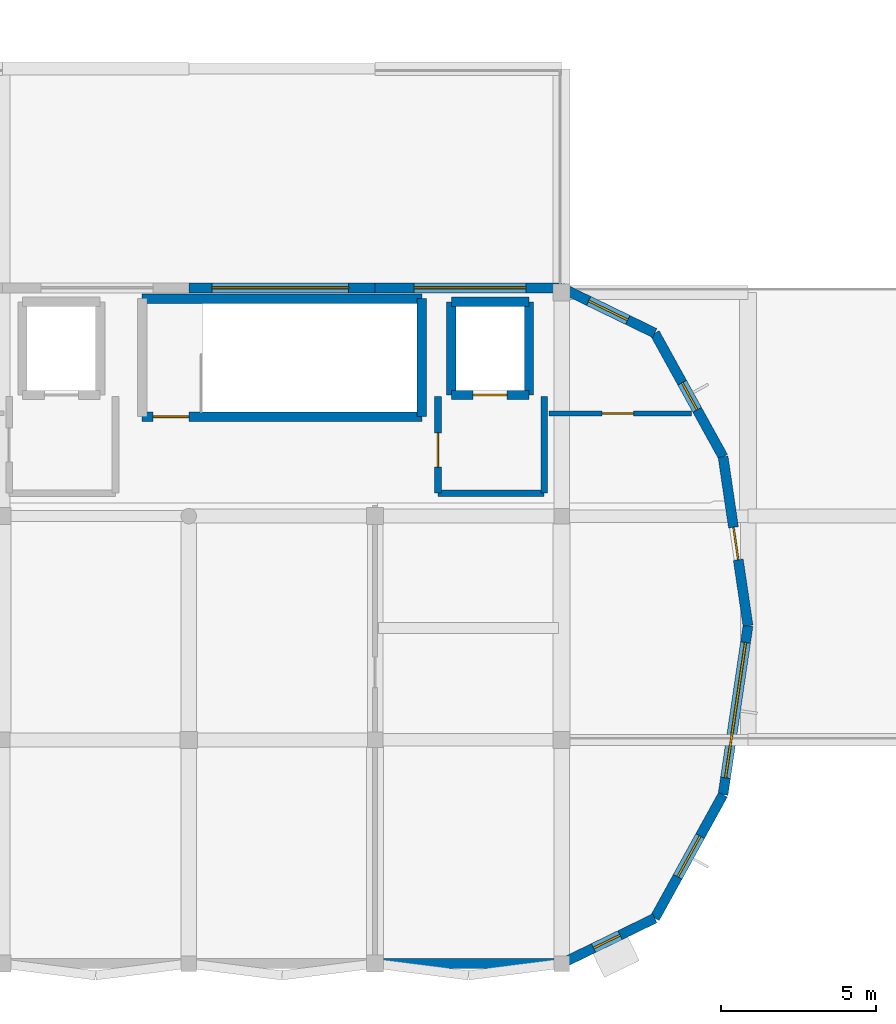
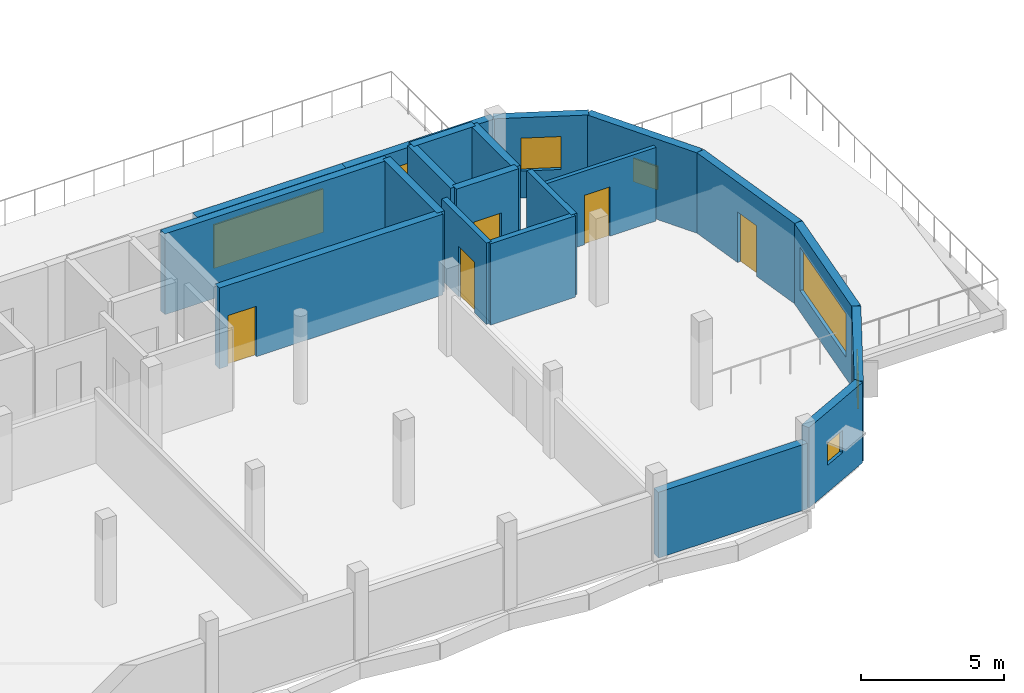
# One storey, part 3 of 4: 20 walls, 7 windows, 5 doors, 12 openings.
"""IFC4 building model written with IfcOpenShell, lengths in metres."""

from ifc_helpers import new_model, si_unit, direction, frame, frame_2d, origin, place, context, subcontext, project, spatial, rectangle, extrude, material, layer, layer_set, type_object, element, fill, save


model = new_model("IFC4")

# Units and contexts
model_context = context("Model", 3, precision=1e-05, world=origin(), true_north=direction((0.0, 1.0)))
body_context = subcontext(model_context, "Body", "Model", "MODEL_VIEW")
ifc_project = project(units=[si_unit("LENGTHUNIT", "METRE"), si_unit("AREAUNIT", "SQUARE_METRE"), si_unit("VOLUMEUNIT", "CUBIC_METRE"), si_unit("PLANEANGLEUNIT", "RADIAN"), si_unit("MASSUNIT", "GRAM", prefix="KILO")], contexts=[model_context])

# Site, building, storey
site_placement = place(None, origin())
site = spatial("IfcSite", under=ifc_project, at=site_placement, CompositionType="ELEMENT")
building_placement = place(site_placement, origin())
building = spatial("IfcBuilding", under=site, at=building_placement, Name="Dunvalen Ferry Terminal", CompositionType="ELEMENT")
storey_placement = place(building_placement, frame((0.0, 0.0, 17.320068359375)))
storey = spatial("IfcBuildingStorey", under=building, at=storey_placement, Name="L04", CompositionType="ELEMENT", Elevation=17.320068359375)

# Wall
ifc_material_1 = material(Name="Precast concrete C40/50", Category="concrete")
ifc_layer_1 = layer(ifc_material_1, 0.320068359375, Name="Precast concrete C40/50")
ifc_layer_set_1 = layer_set([ifc_layer_1], Name="Precast concrete C40/50")
wall_type_1 = type_object("IfcWallType", Name="ENV-WL-SPN320", PredefinedType="SOLIDWALL", material=ifc_layer_set_1)
wall_1_placement = place(storey_placement, frame((48.0, 0.0, 0.0), z_axis=(0.0, 0.0, 1.0), x_axis=(1.0, 0.0, 0.0)))
element("IfcWall", 1, at=wall_1_placement, inside=storey, type_object=wall_type_1, Name="L04 Streamline Moderne Facade Wall 01.05", PredefinedType="SOLIDWALL", context=body_context, shape_type="SweptSolid", body=[
    extrude(rectangle(XDim=6.0, YDim=0.320068359375, at=frame_2d((3.0, 0.0))), origin(), (0.0, 0.0, 1.0), 2.800048828125),
])

# Wall, opening, window
wall_2_placement = place(storey_placement, frame((54.0, 0.0, 0.0), z_axis=(0.0, 0.0, 1.0), x_axis=(0.899521309608, 0.436876886046, 0.0)))
wall_2 = element("IfcWall", 2, at=wall_2_placement, inside=storey, type_object=wall_type_1, Name="L04 Streamline Moderne Facade Wall 02.01", PredefinedType="SOLIDWALL", context=body_context, shape_type="SweptSolid", body=[
    extrude(rectangle(XDim=3.335205078125, YDim=0.320068359375, at=frame_2d((1.66748046875, 0.0))), origin(), (0.0, 0.0, 1.0), 3.419921875),
])
opening_1_placement = place(wall_2_placement, frame((1.14111328125, 0.0, 1.14990234375)))
opening_1 = element("IfcOpeningElement", 3, at=opening_1_placement, cuts=wall_2, Name="Opening W-43", PredefinedType="OPENING", context=body_context, shape_type="SweptSolid", body=[
    extrude(rectangle(XDim=0.949951171875, YDim=0.949951171875, at=frame_2d((0.47509765625, 0.47509765625))), frame((0.0, 0.169921875, 0.0), z_axis=(0.0, -1.0, 0.0), x_axis=(1.0, 0.0, 0.0)), (0.0, 0.0, 1.0), 0.340087890625),
])
ifc_material_2 = material(Name="Thermally broken aluminium and double glazing", Category="aluminium")
window_type_1 = type_object("IfcWindowType", Name="ENV-WIN-PRT-43", PartitioningType="SINGLE_PANEL", PredefinedType="WINDOW", material=ifc_material_2)
window_1_placement = place(opening_1_placement, origin())
window_1 = element("IfcWindow", 4, at=window_1_placement, inside=storey, type_object=window_type_1, Name="L04 Streamline Ribbon Window 02.01", OverallHeight=0.949951171875, OverallWidth=0.949951171875, PartitioningType="SINGLE_PANEL", PredefinedType="WINDOW", context=body_context, shape_type="SweptSolid", body=[
    extrude(rectangle(XDim=0.949951171875, YDim=0.949951171875, at=frame_2d((0.47509765625, 0.47509765625))), frame((0.0, 0.030029296875, 0.0), z_axis=(0.0, -1.0, 0.0), x_axis=(1.0, 0.0, 0.0)), (0.0, 0.0, 1.0), 0.06005859375),
])
fill(opening_1, window_1)

wall_3_placement = place(storey_placement, frame((57.0, 1.45703125, 0.0), z_axis=(0.0, 0.0, 1.0), x_axis=(0.483105735842, 0.875562018361, 0.0)))
wall_3 = element("IfcWall", 5, at=wall_3_placement, inside=storey, type_object=wall_type_1, Name="L04 Streamline Moderne Facade Wall 03.01", PredefinedType="SOLIDWALL", context=body_context, shape_type="SweptSolid", body=[
    extrude(rectangle(XDim=4.546142578125, YDim=0.320068359375, at=frame_2d((2.27294921875, 0.0))), origin(), (0.0, 0.0, 1.0), 3.419921875),
])
opening_2_placement = place(wall_3_placement, frame((1.523193359375, 0.0, 1.14990234375)))
opening_2 = element("IfcOpeningElement", 6, at=opening_2_placement, cuts=wall_3, Name="Opening W-44", PredefinedType="OPENING", context=body_context, shape_type="SweptSolid", body=[
    extrude(rectangle(XDim=1.5, YDim=1.5, at=frame_2d((0.75, 0.75))), frame((0.0, 0.169921875, 0.0), z_axis=(0.0, -1.0, 0.0), x_axis=(1.0, 0.0, 0.0)), (0.0, 0.0, 1.0), 0.340087890625),
])
window_type_2 = type_object("IfcWindowType", Name="ENV-WIN-PRT-44", PartitioningType="SINGLE_PANEL", PredefinedType="WINDOW", material=ifc_material_2)
window_2_placement = place(opening_2_placement, origin())
window_2 = element("IfcWindow", 7, at=window_2_placement, inside=storey, type_object=window_type_2, Name="L04 Streamline Ribbon Window 03.01", OverallHeight=1.5, OverallWidth=1.5, PartitioningType="SINGLE_PANEL", PredefinedType="WINDOW", context=body_context, shape_type="SweptSolid", body=[
    extrude(rectangle(XDim=1.5, YDim=1.5, at=frame_2d((0.75, 0.75))), frame((0.0, 0.030029296875, 0.0), z_axis=(0.0, -1.0, 0.0), x_axis=(1.0, 0.0, 0.0)), (0.0, 0.0, 1.0), 0.06005859375),
])
fill(opening_2, window_2)

wall_4_placement = place(storey_placement, frame((59.1962890625, 5.4375, 0.0), z_axis=(0.0, 0.0, 1.0), x_axis=(0.146220266432, 0.98925205771, 0.0)))
wall_4 = element("IfcWall", 8, at=wall_4_placement, inside=storey, type_object=wall_type_1, Name="L04 Streamline Moderne Facade Wall 04.01", PredefinedType="SOLIDWALL", context=body_context, shape_type="SweptSolid", body=[
    extrude(rectangle(XDim=5.49658203125, YDim=0.320068359375, at=frame_2d((2.748291015625, 0.0))), origin(), (0.0, 0.0, 1.0), 3.419921875),
])
opening_3_placement = place(wall_4_placement, frame((0.54833984375, 0.0, 0.89990234375)))
opening_3 = element("IfcOpeningElement", 9, at=opening_3_placement, cuts=wall_4, Name="Opening W-11", PredefinedType="OPENING", context=body_context, shape_type="SweptSolid", body=[
    extrude(rectangle(XDim=4.39990234375, YDim=1.85009765625, at=frame_2d((2.199951171875, 0.925048828125))), frame((0.0, 0.169921875, 0.0), z_axis=(0.0, -1.0, 0.0), x_axis=(1.0, 0.0, 0.0)), (0.0, 0.0, 1.0), 0.340087890625),
])
window_type_3 = type_object("IfcWindowType", Name="ENV-WIN-VTS-11", PartitioningType="SINGLE_PANEL", PredefinedType="WINDOW", material=ifc_material_2)
window_3_placement = place(opening_3_placement, origin())
window_3 = element("IfcWindow", 10, at=window_3_placement, inside=storey, type_object=window_type_3, Name="L04 Streamline Ribbon Window 04.01", OverallHeight=1.85009765625, OverallWidth=4.39990234375, PartitioningType="SINGLE_PANEL", PredefinedType="WINDOW", context=body_context, shape_type="SweptSolid", body=[
    extrude(rectangle(XDim=4.39990234375, YDim=1.85009765625, at=frame_2d((2.199951171875, 0.925048828125))), frame((0.0, 0.030029296875, 0.0), z_axis=(0.0, -1.0, 0.0), x_axis=(1.0, 0.0, 0.0)), (0.0, 0.0, 1.0), 0.06005859375),
])
fill(opening_3, window_3)

# Wall, opening, door
wall_5_placement = place(storey_placement, frame((60.0, 10.875, 0.0), z_axis=(0.0, 0.0, 1.0), x_axis=(-0.146220266432, 0.98925205771, 0.0)))
wall_5 = element("IfcWall", 11, at=wall_5_placement, inside=storey, type_object=wall_type_1, Name="L04 Streamline Moderne Facade Wall 05.01", PredefinedType="SOLIDWALL", context=body_context, shape_type="SweptSolid", body=[
    extrude(rectangle(XDim=5.49658203125, YDim=0.320068359375, at=frame_2d((2.748291015625, 0.0))), origin(), (0.0, 0.0, 1.0), 3.419921875),
])
opening_4_placement = place(wall_5_placement, frame((2.14794921875, 0.0, 0.0)))
opening_4 = element("IfcOpeningElement", 12, at=opening_4_placement, cuts=wall_5, Name="Opening ED-07", PredefinedType="OPENING", context=body_context, shape_type="SweptSolid", body=[
    extrude(rectangle(XDim=1.050048828125, YDim=2.14990234375, at=frame_2d((0.52490234375, 1.074951171875))), frame((0.0, 0.169921875, 0.0), z_axis=(0.0, -1.0, 0.0), x_axis=(1.0, 0.0, 0.0)), (0.0, 0.0, 1.0), 0.340087890625),
])
ifc_material_3 = material(Name="Marine grade powder-coated aluminium and laminated glass", Category="aluminium")
door_type_1 = type_object("IfcDoorType", Name="ENV-DR-EXT-1050", OperationType="NOTDEFINED", PredefinedType="DOOR", material=ifc_material_3)
door_1_placement = place(opening_4_placement, frame((1.050048828125, 0.0, 0.0), z_axis=(0.0, 0.0, 1.0), x_axis=(-1.0, 0.0, 0.0)))
door_1 = element("IfcDoor", 13, at=door_1_placement, inside=storey, type_object=door_type_1, Name="L04 VTS Bridge Lookout Terrace Door 4.0", OperationType="SINGLE_SWING_RIGHT", OverallHeight=2.14990234375, OverallWidth=1.050048828125, PredefinedType="DOOR", context=body_context, shape_type="SweptSolid", body=[
    extrude(rectangle(XDim=1.050048828125, YDim=2.14990234375, at=frame_2d((0.52490234375, 1.074951171875))), frame((0.0, 0.02490234375, 0.0), z_axis=(0.0, -1.0, 0.0), x_axis=(1.0, 0.0, 0.0)), (0.0, 0.0, 1.0), 0.050048828125),
])
fill(opening_4, door_1)

# Wall, opening, window
wall_6_placement = place(storey_placement, frame((59.1962890625, 16.3125, 0.0), z_axis=(0.0, 0.0, 1.0), x_axis=(-0.483105735842, 0.875562018361, 0.0)))
wall_6 = element("IfcWall", 14, at=wall_6_placement, inside=storey, type_object=wall_type_1, Name="L04 Streamline Moderne Facade Wall 06.01", PredefinedType="SOLIDWALL", context=body_context, shape_type="SweptSolid", body=[
    extrude(rectangle(XDim=4.546142578125, YDim=0.320068359375, at=frame_2d((2.27294921875, 0.0))), origin(), (0.0, 0.0, 1.0), 3.419921875),
])
opening_5_placement = place(wall_6_placement, frame((1.722900390625, 0.0, 1.14990234375)))
opening_5 = element("IfcOpeningElement", 15, at=opening_5_placement, cuts=wall_6, Name="Opening W-18", PredefinedType="OPENING", context=body_context, shape_type="SweptSolid", body=[
    extrude(rectangle(XDim=1.0, YDim=1.0, at=frame_2d((0.5, 0.5))), frame((0.0, 0.169921875, 0.0), z_axis=(0.0, -1.0, 0.0), x_axis=(1.0, 0.0, 0.0)), (0.0, 0.0, 1.0), 0.340087890625),
])
window_type_4 = type_object("IfcWindowType", Name="ENV-WIN-PRT-18", PartitioningType="SINGLE_PANEL", PredefinedType="WINDOW", material=ifc_material_2)
window_4_placement = place(opening_5_placement, origin())
window_4 = element("IfcWindow", 16, at=window_4_placement, inside=storey, type_object=window_type_4, Name="L04 Streamline Ribbon Window 06.01", OverallHeight=1.0, OverallWidth=1.0, PartitioningType="SINGLE_PANEL", PredefinedType="WINDOW", context=body_context, shape_type="SweptSolid", body=[
    extrude(rectangle(XDim=1.0, YDim=1.0, at=frame_2d((0.5, 0.5))), frame((0.0, 0.030029296875, 0.0), z_axis=(0.0, -1.0, 0.0), x_axis=(1.0, 0.0, 0.0)), (0.0, 0.0, 1.0), 0.06005859375),
])
fill(opening_5, window_4)

wall_7_placement = place(storey_placement, frame((57.0, 20.29296875, 0.0), z_axis=(0.0, 0.0, 1.0), x_axis=(-0.899521309608, 0.436876886046, 0.0)))
wall_7 = element("IfcWall", 17, at=wall_7_placement, inside=storey, type_object=wall_type_1, Name="L04 Streamline Moderne Facade Wall 07.01", PredefinedType="SOLIDWALL", context=body_context, shape_type="SweptSolid", body=[
    extrude(rectangle(XDim=3.335205078125, YDim=0.320068359375, at=frame_2d((1.66748046875, 0.0))), origin(), (0.0, 0.0, 1.0), 3.419921875),
])
opening_6_placement = place(wall_7_placement, frame((0.967529296875, 0.0, 1.14990234375)))
opening_6 = element("IfcOpeningElement", 18, at=opening_6_placement, cuts=wall_7, Name="Opening W-19", PredefinedType="OPENING", context=body_context, shape_type="SweptSolid", body=[
    extrude(rectangle(XDim=1.39990234375, YDim=1.39990234375, at=frame_2d((0.699951171875, 0.699951171875))), frame((0.0, 0.169921875, 0.0), z_axis=(0.0, -1.0, 0.0), x_axis=(1.0, 0.0, 0.0)), (0.0, 0.0, 1.0), 0.340087890625),
])
window_type_5 = type_object("IfcWindowType", Name="ENV-WIN-PRT-19", PartitioningType="SINGLE_PANEL", PredefinedType="WINDOW", material=ifc_material_2)
window_5_placement = place(opening_6_placement, origin())
window_5 = element("IfcWindow", 19, at=window_5_placement, inside=storey, type_object=window_type_5, Name="L04 Streamline Ribbon Window 07.01", OverallHeight=1.39990234375, OverallWidth=1.39990234375, PartitioningType="SINGLE_PANEL", PredefinedType="WINDOW", context=body_context, shape_type="SweptSolid", body=[
    extrude(rectangle(XDim=1.39990234375, YDim=1.39990234375, at=frame_2d((0.699951171875, 0.699951171875))), frame((0.0, 0.030029296875, 0.0), z_axis=(0.0, -1.0, 0.0), x_axis=(1.0, 0.0, 0.0)), (0.0, 0.0, 1.0), 0.06005859375),
])
fill(opening_6, window_5)

wall_8_placement = place(storey_placement, frame((54.0, 21.75, 0.0), z_axis=(0.0, 0.0, 1.0), x_axis=(-1.0, 0.0, 0.0)))
wall_8 = element("IfcWall", 20, at=wall_8_placement, inside=storey, type_object=wall_type_1, Name="L04 Streamline Moderne Facade Wall 08.01", PredefinedType="SOLIDWALL", context=body_context, shape_type="SweptSolid", body=[
    extrude(rectangle(XDim=6.0, YDim=0.320068359375, at=frame_2d((3.0, 0.0))), origin(), (0.0, 0.0, 1.0), 3.419921875),
])
opening_7_placement = place(wall_8_placement, frame((1.148193359375, 0.0, 0.89990234375)))
opening_7 = element("IfcOpeningElement", 21, at=opening_7_placement, cuts=wall_8, Name="Opening W-12", PredefinedType="OPENING", context=body_context, shape_type="SweptSolid", body=[
    extrude(rectangle(XDim=3.60009765625, YDim=1.85009765625, at=frame_2d((1.800048828125, 0.925048828125))), frame((0.0, 0.169921875, 0.0), z_axis=(0.0, -1.0, 0.0), x_axis=(1.0, 0.0, 0.0)), (0.0, 0.0, 1.0), 0.340087890625),
])
window_type_6 = type_object("IfcWindowType", Name="ENV-WIN-VTS-12", PartitioningType="SINGLE_PANEL", PredefinedType="WINDOW", material=ifc_material_2)
window_6_placement = place(opening_7_placement, origin())
window_6 = element("IfcWindow", 22, at=window_6_placement, inside=storey, type_object=window_type_6, Name="L04 Streamline Ribbon Window 08.01", OverallHeight=1.85009765625, OverallWidth=3.60009765625, PartitioningType="SINGLE_PANEL", PredefinedType="WINDOW", context=body_context, shape_type="SweptSolid", body=[
    extrude(rectangle(XDim=3.60009765625, YDim=1.85009765625, at=frame_2d((1.800048828125, 0.925048828125))), frame((0.0, 0.030029296875, 0.0), z_axis=(0.0, -1.0, 0.0), x_axis=(1.0, 0.0, 0.0)), (0.0, 0.0, 1.0), 0.06005859375),
])
fill(opening_7, window_6)

wall_9_placement = place(storey_placement, frame((48.0, 21.75, 0.0), z_axis=(0.0, 0.0, 1.0), x_axis=(-1.0, 0.0, 0.0)))
wall_9 = element("IfcWall", 23, at=wall_9_placement, inside=storey, type_object=wall_type_1, Name="L04 Streamline Moderne Facade Wall 08.02", PredefinedType="SOLIDWALL", context=body_context, shape_type="SweptSolid", body=[
    extrude(rectangle(XDim=6.0, YDim=0.320068359375, at=frame_2d((3.0, 0.0))), origin(), (0.0, 0.0, 1.0), 3.419921875),
])
opening_8_placement = place(wall_9_placement, frame((0.853271484375, 0.0, 0.89990234375)))
opening_8 = element("IfcOpeningElement", 24, at=opening_8_placement, cuts=wall_9, Name="Opening W-11", PredefinedType="OPENING", context=body_context, shape_type="SweptSolid", body=[
    extrude(rectangle(XDim=4.39990234375, YDim=1.85009765625, at=frame_2d((2.199951171875, 0.925048828125))), frame((0.0, 0.169921875, 0.0), z_axis=(0.0, -1.0, 0.0), x_axis=(1.0, 0.0, 0.0)), (0.0, 0.0, 1.0), 0.340087890625),
])
window_7_placement = place(opening_8_placement, origin())
window_7 = element("IfcWindow", 25, at=window_7_placement, inside=storey, type_object=window_type_3, Name="L04 Streamline Ribbon Window 08.02", OverallHeight=1.85009765625, OverallWidth=4.39990234375, PartitioningType="SINGLE_PANEL", PredefinedType="WINDOW", context=body_context, shape_type="SweptSolid", body=[
    extrude(rectangle(XDim=4.39990234375, YDim=1.85009765625, at=frame_2d((2.199951171875, 0.925048828125))), frame((0.0, 0.030029296875, 0.0), z_axis=(0.0, -1.0, 0.0), x_axis=(1.0, 0.0, 0.0)), (0.0, 0.0, 1.0), 0.06005859375),
])
fill(opening_8, window_7)

# Walls
ifc_material_4 = material(Name="Concrete C35/45", Category="concrete")
ifc_layer_2 = layer(ifc_material_4, 0.219970703125, Name="Concrete C35/45")
ifc_layer_set_2 = layer_set([ifc_layer_2], Name="Concrete C35/45")
wall_type_2 = type_object("IfcWallType", Name="INT-WL-CMP220", PredefinedType="SOLIDWALL", material=ifc_layer_set_2)
wall_10_placement = place(storey_placement, frame((50.02001953125, 15.139892578125, 0.0), z_axis=(0.0, 0.0, 1.0), x_axis=(1.0, 0.0, 0.0)))
element("IfcWall", 26, at=wall_10_placement, inside=storey, type_object=wall_type_2, Name="L04 L04 Firefighting Lift Lobby LF-02 Partition 1", PredefinedType="SOLIDWALL", context=body_context, shape_type="SweptSolid", body=[
    extrude(rectangle(XDim=3.419921875, YDim=0.219970703125, at=frame_2d((1.7099609375, 0.0))), origin(), (0.0, 0.0, 1.0), 3.4599609375),
])
wall_11_placement = place(storey_placement, frame((53.43994140625, 15.139892578125, 0.0), z_axis=(0.0, 0.0, 1.0), x_axis=(0.0, 1.0, 0.0)))
element("IfcWall", 27, at=wall_11_placement, inside=storey, type_object=wall_type_2, Name="L04 L04 Firefighting Lift Lobby LF-02 Partition 2", PredefinedType="SOLIDWALL", context=body_context, shape_type="SweptSolid", body=[
    extrude(rectangle(XDim=3.110107421875, YDim=0.219970703125, at=frame_2d((1.55517578125, 0.0))), origin(), (0.0, 0.0, 1.0), 3.4599609375),
])

# Wall, opening, door
wall_12_placement = place(storey_placement, frame((50.02001953125, 18.25, 0.0), z_axis=(0.0, 0.0, 1.0), x_axis=(0.0, -1.0, 0.0)))
wall_12 = element("IfcWall", 28, at=wall_12_placement, inside=storey, type_object=wall_type_2, Name="L04 L04 Firefighting Lift Lobby LF-02 Partition 10", PredefinedType="SOLIDWALL", context=body_context, shape_type="SweptSolid", body=[
    extrude(rectangle(XDim=3.110107421875, YDim=0.219970703125, at=frame_2d((1.55517578125, 0.0))), origin(), (0.0, 0.0, 1.0), 3.4599609375),
])
opening_9_placement = place(wall_12_placement, frame((1.171142578125, 0.0, 0.0)))
opening_9 = element("IfcOpeningElement", 29, at=opening_9_placement, cuts=wall_12, Name="Opening ID-03", PredefinedType="OPENING", context=body_context, shape_type="SweptSolid", body=[
    extrude(rectangle(XDim=1.10009765625, YDim=2.14990234375, at=frame_2d((0.550048828125, 1.074951171875))), frame((0.0, 0.1201171875, 0.0), z_axis=(0.0, -1.0, 0.0), x_axis=(1.0, 0.0, 0.0)), (0.0, 0.0, 1.0), 0.239990234375),
])
ifc_material_5 = material(Name="Powder-coated steel fire door", Category="steel")
door_type_2 = type_object("IfcDoorType", Name="INT-DR-FFL-1100", OperationType="NOTDEFINED", PredefinedType="DOOR", material=ifc_material_5)
door_2_placement = place(opening_9_placement, origin())
door_2 = element("IfcDoor", 30, at=door_2_placement, inside=storey, type_object=door_type_2, Name="L04 Firefighting Lift Lobby LF-02 Door", OperationType="SINGLE_SWING_LEFT", OverallHeight=2.14990234375, OverallWidth=1.10009765625, PredefinedType="DOOR", context=body_context, shape_type="SweptSolid", body=[
    extrude(rectangle(XDim=1.10009765625, YDim=2.14990234375, at=frame_2d((0.550048828125, 1.074951171875))), frame((0.0, 0.02490234375, 0.0), z_axis=(0.0, -1.0, 0.0), x_axis=(1.0, 0.0, 0.0)), (0.0, 0.0, 1.0), 0.050048828125),
])
fill(opening_9, door_2)

ifc_material_6 = material(Name="Moisture-resistant tile-backer partition", Category="gypsum")
ifc_layer_3 = layer(ifc_material_6, 0.159912109375, Name="Moisture-resistant tile-backer partition")
ifc_layer_set_3 = layer_set([ifc_layer_3], Name="Moisture-resistant tile-backer partition")
wall_type_3 = type_object("IfcWallType", Name="INT-WL-PRT160", PredefinedType="PARTITIONING", material=ifc_layer_set_3)
wall_13_placement = place(storey_placement, frame((53.60009765625, 17.7099609375, 0.0), z_axis=(0.0, 0.0, 1.0), x_axis=(1.0, 0.0, 0.0)))
wall_13 = element("IfcWall", 31, at=wall_13_placement, inside=storey, type_object=wall_type_3, Name="L04 L04 Bridge Watch Accessible and Staff Toilets Partition 8", PredefinedType="PARTITIONING", context=body_context, shape_type="SweptSolid", body=[
    extrude(rectangle(XDim=4.57373046875, YDim=0.159912109375, at=frame_2d((2.286865234375, 0.0))), origin(), (0.0, 0.0, 1.0), 3.1298828125),
])
opening_10_placement = place(wall_13_placement, frame((1.701416015625, 0.0, 0.0)))
opening_10 = element("IfcOpeningElement", 32, at=opening_10_placement, cuts=wall_13, Name="Opening ID-13", PredefinedType="OPENING", context=body_context, shape_type="SweptSolid", body=[
    extrude(rectangle(XDim=1.02001953125, YDim=2.10009765625, at=frame_2d((0.510009765625, 1.050048828125))), frame((0.0, 0.08984375, 0.0), z_axis=(0.0, -1.0, 0.0), x_axis=(1.0, 0.0, 0.0)), (0.0, 0.0, 1.0), 0.179931640625),
])
ifc_material_7 = material(Name="High-pressure laminate moisture-resistant door", Category="wood")
door_type_3 = type_object("IfcDoorType", Name="INT-DR-WC-1020", OperationType="NOTDEFINED", PredefinedType="DOOR", material=ifc_material_7)
door_3_placement = place(opening_10_placement, origin())
door_3 = element("IfcDoor", 33, at=door_3_placement, inside=storey, type_object=door_type_3, Name="L04 Bridge Watch Accessible and Staff Toilets Door", OperationType="SINGLE_SWING_LEFT", OverallHeight=2.10009765625, OverallWidth=1.02001953125, PredefinedType="DOOR", context=body_context, shape_type="SweptSolid", body=[
    extrude(rectangle(XDim=1.02001953125, YDim=2.10009765625, at=frame_2d((0.510009765625, 1.050048828125))), frame((0.0, 0.02490234375, 0.0), z_axis=(0.0, -1.0, 0.0), x_axis=(1.0, 0.0, 0.0)), (0.0, 0.0, 1.0), 0.050048828125),
])
fill(opening_10, door_3)

# Walls
ifc_material_8 = material(Name="Concrete C40/50", Category="concrete")
ifc_layer_4 = layer(ifc_material_8, 0.300048828125, Name="Concrete C40/50")
ifc_layer_set_4 = layer_set([ifc_layer_4], Name="Concrete C40/50")
wall_type_4 = type_object("IfcWallType", Name="STR-WL-SHR300", PredefinedType="SHEAR", material=ifc_layer_set_4)
wall_14_placement = place(storey_placement, frame((49.5, 17.60009765625, 0.0), z_axis=(0.0, 0.0, 1.0), x_axis=(0.0, 1.0, 0.0)))
element("IfcWall", 34, at=wall_14_placement, inside=storey, type_object=wall_type_4, Name="L04 ST2 Core East Shear Wall", PredefinedType="SHEAR", context=body_context, shape_type="SweptSolid", body=[
    extrude(rectangle(XDim=3.7998046875, YDim=0.300048828125, at=frame_2d((1.89990234375, 0.0))), origin(), (0.0, 0.0, 1.0), 3.43994140625),
])
wall_15_placement = place(storey_placement, frame((40.5, 21.39990234375, 0.0), z_axis=(0.0, 0.0, 1.0), x_axis=(1.0, 0.0, 0.0)))
element("IfcWall", 35, at=wall_15_placement, inside=storey, type_object=wall_type_4, Name="L04 ST2 Core North Shear Wall", PredefinedType="SHEAR", context=body_context, shape_type="SweptSolid", body=[
    extrude(rectangle(XDim=9.0, YDim=0.300048828125, at=frame_2d((4.5, 0.0))), origin(), (0.0, 0.0, 1.0), 3.43994140625),
])

# Wall, opening, door
wall_16_placement = place(storey_placement, frame((40.5, 17.60009765625, 0.0), z_axis=(0.0, 0.0, 1.0), x_axis=(1.0, 0.0, 0.0)))
wall_16 = element("IfcWall", 36, at=wall_16_placement, inside=storey, type_object=wall_type_4, Name="L04 ST2 Core South Shear Wall", PredefinedType="SHEAR", context=body_context, shape_type="SweptSolid", body=[
    extrude(rectangle(XDim=9.0, YDim=0.300048828125, at=frame_2d((4.5, 0.0))), origin(), (0.0, 0.0, 1.0), 3.43994140625),
])
opening_11_placement = place(wall_16_placement, frame((0.35009765625, 0.0, 0.0)))
opening_11 = element("IfcOpeningElement", 37, at=opening_11_placement, cuts=wall_16, Name="Opening ID-02", PredefinedType="OPENING", context=body_context, shape_type="SweptSolid", body=[
    extrude(rectangle(XDim=1.14990234375, YDim=2.14990234375, at=frame_2d((0.574951171875, 1.074951171875))), frame((0.0, 0.16015625, 0.0), z_axis=(0.0, -1.0, 0.0), x_axis=(1.0, 0.0, 0.0)), (0.0, 0.0, 1.0), 0.320068359375),
])
door_type_4 = type_object("IfcDoorType", Name="INT-DR-STR-1150", OperationType="NOTDEFINED", PredefinedType="DOOR", material=ifc_material_5)
door_4_placement = place(opening_11_placement, frame((1.14990234375, 0.0, 0.0), z_axis=(0.0, 0.0, 1.0), x_axis=(-1.0, 0.0, 0.0)))
door_4 = element("IfcDoor", 38, at=door_4_placement, inside=storey, type_object=door_type_4, Name="L04 ST2 Escape Stair Fire Door", OperationType="SINGLE_SWING_RIGHT", OverallHeight=2.14990234375, OverallWidth=1.14990234375, PredefinedType="DOOR", context=body_context, shape_type="SweptSolid", body=[
    extrude(rectangle(XDim=1.14990234375, YDim=2.14990234375, at=frame_2d((0.574951171875, 1.074951171875))), frame((0.0, 0.02490234375, 0.0), z_axis=(0.0, -1.0, 0.0), x_axis=(1.0, 0.0, 0.0)), (0.0, 0.0, 1.0), 0.050048828125),
])
fill(opening_11, door_4)

wall_17_placement = place(storey_placement, frame((50.449951171875, 18.300048828125, 0.0), z_axis=(0.0, 0.0, 1.0), x_axis=(1.0, 0.0, 0.0)))
wall_17 = element("IfcWall", 39, at=wall_17_placement, inside=storey, type_object=wall_type_4, Name="L04 LF-02 Lift Shaft S Wall", PredefinedType="SHEAR", context=body_context, shape_type="SweptSolid", body=[
    extrude(rectangle(XDim=2.5, YDim=0.300048828125, at=frame_2d((1.25, 0.0))), origin(), (0.0, 0.0, 1.0), 3.739990234375),
])
opening_12_placement = place(wall_17_placement, frame((0.699951171875, 0.0, 0.0)))
opening_12 = element("IfcOpeningElement", 40, at=opening_12_placement, cuts=wall_17, Name="Opening LD-01", PredefinedType="OPENING", context=body_context, shape_type="SweptSolid", body=[
    extrude(rectangle(XDim=1.10009765625, YDim=2.10009765625, at=frame_2d((0.550048828125, 1.050048828125))), frame((0.0, 0.16015625, 0.0), z_axis=(0.0, -1.0, 0.0), x_axis=(1.0, 0.0, 0.0)), (0.0, 0.0, 1.0), 0.320068359375),
])
ifc_material_9 = material(Name="Brushed 316 stainless steel", Category="steel")
door_type_5 = type_object("IfcDoorType", Name="INT-DR-LFT-1100", OperationType="SLIDING_TO_LEFT", PredefinedType="DOOR", material=ifc_material_9)
door_5_placement = place(opening_12_placement, origin())
door_5 = element("IfcDoor", 41, at=door_5_placement, inside=storey, type_object=door_type_5, Name="L04 LF-02 Lift Sliding Landing Door", OperationType="SLIDING_TO_LEFT", OverallHeight=2.10009765625, OverallWidth=1.10009765625, PredefinedType="DOOR", context=body_context, shape_type="SweptSolid", body=[
    extrude(rectangle(XDim=1.10009765625, YDim=2.10009765625, at=frame_2d((0.550048828125, 1.050048828125))), frame((0.0, 0.02490234375, 0.0), z_axis=(0.0, -1.0, 0.0), x_axis=(1.0, 0.0, 0.0)), (0.0, 0.0, 1.0), 0.050048828125),
])
fill(opening_12, door_5)

# Walls
wall_18_placement = place(storey_placement, frame((50.449951171875, 21.300048828125, 0.0), z_axis=(0.0, 0.0, 1.0), x_axis=(1.0, 0.0, 0.0)))
element("IfcWall", 42, at=wall_18_placement, inside=storey, type_object=wall_type_4, Name="L04 LF-02 Lift Shaft N Wall", PredefinedType="SHEAR", context=body_context, shape_type="SweptSolid", body=[
    extrude(rectangle(XDim=2.5, YDim=0.300048828125, at=frame_2d((1.25, 0.0))), origin(), (0.0, 0.0, 1.0), 3.739990234375),
])
for number, where, z_axis, x_axis, name in (
    (43, (50.449951171875, 18.300048828125, 0.0), (0.0, 0.0, 1.0), (0.0, 1.0, 0.0), "L04 LF-02 Lift Shaft W Wall"),
    (44, (52.949951171875, 18.300048828125, 0.0), (0.0, 0.0, 1.0), (0.0, 1.0, 0.0), "L04 LF-02 Lift Shaft E Wall"),
):
    element("IfcWall", number, at=place(storey_placement, frame(where, z_axis=z_axis, x_axis=x_axis)), inside=storey, type_object=wall_type_4, Name=name, PredefinedType="SHEAR", context=body_context, shape_type="SweptSolid", body=[
        extrude(rectangle(XDim=3.0, YDim=0.300048828125, at=frame_2d((1.5, 0.0))), origin(), (0.0, 0.0, 1.0), 3.739990234375),
    ])

save(model, "model.ifc")
